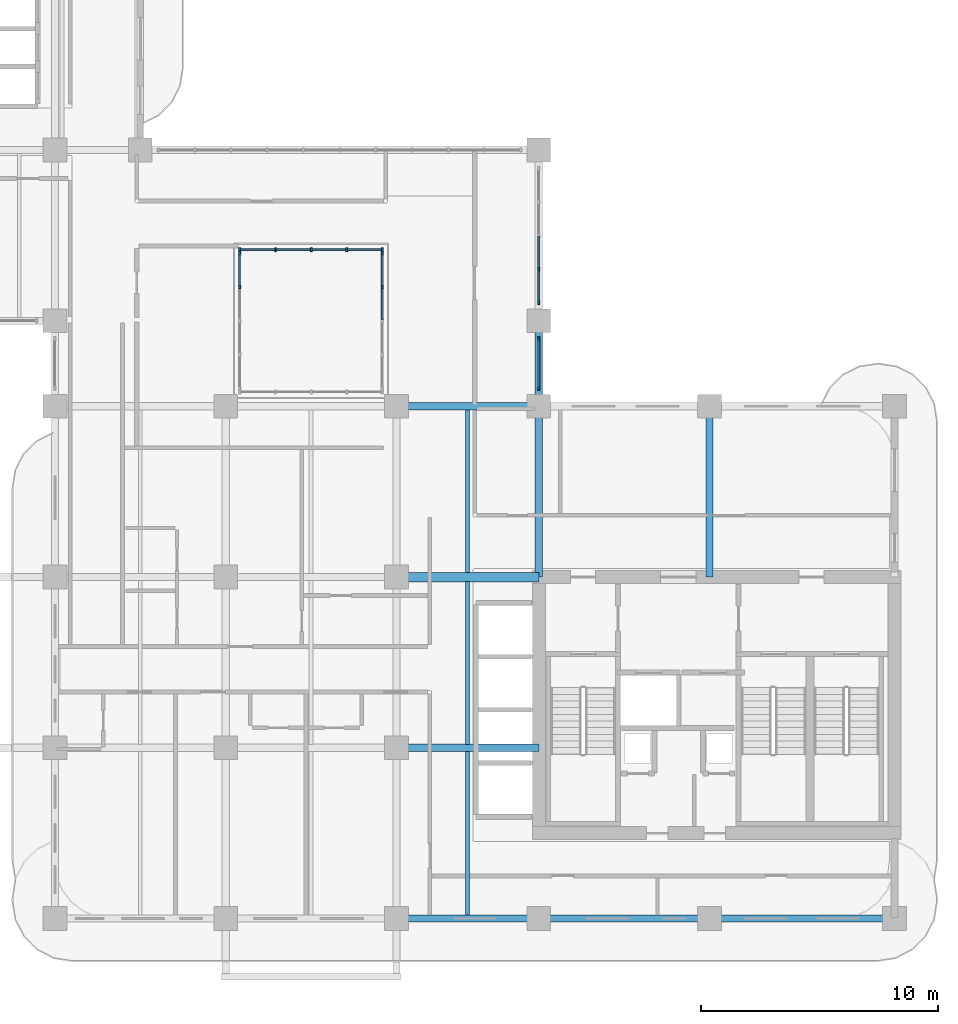
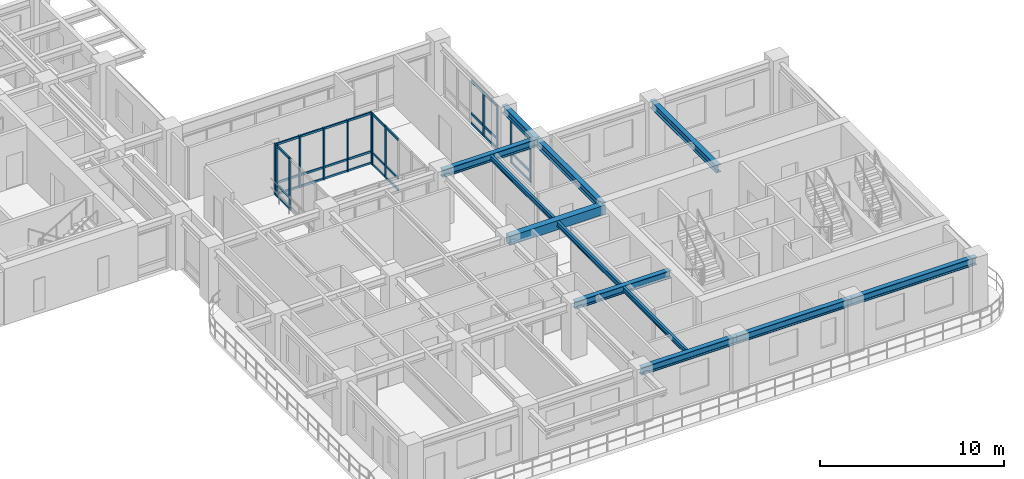
# One storey, part 3 of 19: 43 members, 12 beams, 5 elements without a shape of their own.
"""IFC4 building model written with IfcOpenShell, lengths in metres."""

import ifcopenshell
import ifcopenshell.guid

model = None  # the IFC model being written
_history = None  # IfcOwnerHistory: only IFC2X3 demands one
_inside = {}  # id of a spatial element -> (the spatial element, [elements in it])
_under = {}  # id of a project, library or spatial element -> (it, [spatial elements below it])
_declared = {}  # id of a project -> (the project, [libraries it declares])
_typed = {}  # id of a type object -> (the type object, [elements of that type])
_made_of = {}  # id of a material, layer set ... -> (it, [elements and type objects made of it])


def new_model(schema):
    """Start an empty IFC model of exactly this schema.

    Asked for "IFC4X3", IfcOpenShell would pick the latest addendum, in which some entities
    have other attributes; the version numbers below select the first issue.
    IFC2X3 requires an IfcOwnerHistory on every rooted entity: one is made here for all.
    """
    global model, _history
    if schema == "IFC4X3":
        model = ifcopenshell.file(schema_version=(4, 3, 0, 0))
    else:
        model = ifcopenshell.file(schema=schema)
    _inside.clear()
    _under.clear()
    _declared.clear()
    _typed.clear()
    _made_of.clear()
    _history = None
    if model.schema == "IFC2X3":
        org = make("IfcOrganization", Name="unknown")
        user = make(
            "IfcPersonAndOrganization",
            ThePerson=make("IfcPerson", FamilyName="unknown"),
            TheOrganization=org,
        )
        app = make(
            "IfcApplication",
            ApplicationDeveloper=org,
            Version="unknown",
            ApplicationFullName="unknown",
            ApplicationIdentifier="unknown",
        )
        _history = make(
            "IfcOwnerHistory",
            OwningUser=user,
            OwningApplication=app,
            ChangeAction="ADDED",
            CreationDate=0,
        )
    return model


def make(cls, **values):
    """One entity of the class cls with the attributes given. An attribute that is None is left unset."""
    return model.create_entity(
        cls, **{name: value for name, value in values.items() if value is not None}
    )


def rooted(cls, **values):
    """An entity with a GlobalId (a new one), such as an element, a storey or a relation."""
    return make(cls, GlobalId=ifcopenshell.guid.new(), OwnerHistory=_history, **values)


def si_unit(unit_type, name, prefix=None):
    """IfcSIUnit, for example si_unit("LENGTHUNIT", "METRE", prefix="MILLI")."""
    return make("IfcSIUnit", UnitType=unit_type, Prefix=prefix, Name=name)


def derived_unit(unit_type, elements):
    """IfcDerivedUnit: a product of units, each with its exponent."""
    return make(
        "IfcDerivedUnit",
        Elements=[
            make("IfcDerivedUnitElement", Unit=unit, Exponent=power)
            for unit, power in elements
        ],
        UnitType=unit_type,
    )


def assignment(units):
    """IfcUnitAssignment: the units of a project."""
    return None if units is None else make("IfcUnitAssignment", Units=units)


def point(xyz):
    """IfcCartesianPoint."""
    return None if xyz is None else make("IfcCartesianPoint", Coordinates=xyz)


def direction(xyz):
    """IfcDirection."""
    return None if xyz is None else make("IfcDirection", DirectionRatios=xyz)


def frame(location, z_axis=None, x_axis=None):
    """IfcAxis2Placement3D, a coordinate frame: its origin and axes. An axis left out is left unset."""
    return make(
        "IfcAxis2Placement3D",
        Location=point(location),
        Axis=direction(z_axis),
        RefDirection=direction(x_axis),
    )


def frame_2d(location, x_axis=None):
    """IfcAxis2Placement2D, a coordinate frame in the plane: its origin and x axis."""
    return make(
        "IfcAxis2Placement2D", Location=point(location), RefDirection=direction(x_axis)
    )


def origin():
    """The frame at (0, 0, 0) with its axes left unset."""
    return frame((0.0, 0.0, 0.0))


def origin_2d():
    """The frame at (0, 0) in the plane with its x axis left unset."""
    return frame_2d((0.0, 0.0))


def place(relative_to, where):
    """IfcLocalPlacement: puts the frame where relative to a parent placement (None: the world)."""
    return make(
        "IfcLocalPlacement", PlacementRelTo=relative_to, RelativePlacement=where
    )


def context(
    kind, dimensions, precision=None, world=None, true_north=None, identifier=None
):
    """IfcGeometricRepresentationContext, for example the 3D "Model" context."""
    return make(
        "IfcGeometricRepresentationContext",
        ContextIdentifier=identifier,
        ContextType=kind,
        CoordinateSpaceDimension=dimensions,
        Precision=precision,
        WorldCoordinateSystem=world,
        TrueNorth=true_north,
    )


def subcontext(parent, identifier, kind, view, scale=None):
    """IfcGeometricRepresentationSubContext, for example "Body" below "Model"."""
    return make(
        "IfcGeometricRepresentationSubContext",
        ContextIdentifier=identifier,
        ContextType=kind,
        ParentContext=parent,
        TargetScale=scale,
        TargetView=view,
    )


def project(units=None, contexts=None):
    """IfcProject with its units and contexts."""
    return rooted(
        "IfcProject",
        Name="project",
        RepresentationContexts=contexts,
        UnitsInContext=assignment(units),
    )


def spatial(cls, under=None, at=None, **own):
    """A site, building, storey or space (cls), placed at a placement, below another one or the project."""
    s = rooted(cls, ObjectPlacement=at, **own)
    if under is not None:
        _under.setdefault(under.id(), (under, []))[1].append(s)
    return s


def profile(cls, at=None, kind="AREA", **sizes):
    """A parametric profile (cls). Its sizes go by their IFC names, for example OverallWidth=200.0."""
    return make(cls, ProfileType=kind, Position=at, **sizes)


def rectangle(**sizes):
    """IfcRectangleProfileDef."""
    return profile("IfcRectangleProfileDef", **sizes)


def i_section(**sizes):
    """IfcIShapeProfileDef."""
    return profile("IfcIShapeProfileDef", **sizes)


def extrude(swept, where, along, depth):
    """IfcExtrudedAreaSolid: the profile swept, set in the frame where, extruded along a direction by depth."""
    return make(
        "IfcExtrudedAreaSolid",
        SweptArea=swept,
        Position=where,
        ExtrudedDirection=direction(along),
        Depth=depth,
    )


def shape(context_of_items, identifier, shape_type, items):
    """IfcShapeRepresentation: the items that make up one representation, for example the "Body"."""
    return make(
        "IfcShapeRepresentation",
        ContextOfItems=context_of_items,
        RepresentationIdentifier=identifier,
        RepresentationType=shape_type,
        Items=items,
    )


def source(mapping_origin, context_of_items, identifier, shape_type, items):
    """IfcRepresentationMap: a shape defined once, which mapped items show again and again."""
    return make(
        "IfcRepresentationMap",
        MappingOrigin=mapping_origin,
        MappedRepresentation=shape(context_of_items, identifier, shape_type, items),
    )


def transform(
    local_origin,
    x_axis=None,
    y_axis=None,
    z_axis=None,
    scale=None,
    scale2=None,
    scale3=None,
    uniform=True,
):
    """IfcCartesianTransformationOperator3D, or its non-uniform kind. x_axis, y_axis, z_axis: its Axis1, 2, 3."""
    if uniform:
        return make(
            "IfcCartesianTransformationOperator3D",
            Axis1=direction(x_axis),
            Axis2=direction(y_axis),
            LocalOrigin=point(local_origin),
            Scale=scale,
            Axis3=direction(z_axis),
        )
    return make(
        "IfcCartesianTransformationOperator3DnonUniform",
        Axis1=direction(x_axis),
        Axis2=direction(y_axis),
        LocalOrigin=point(local_origin),
        Scale=scale,
        Axis3=direction(z_axis),
        Scale2=scale2,
        Scale3=scale3,
    )


def mapped(mapping_source, mapping_target):
    """IfcMappedItem: shows the shape of a source again, moved by a transform."""
    return make(
        "IfcMappedItem", MappingSource=mapping_source, MappingTarget=mapping_target
    )


def material(Name=None, Category=None):
    """IfcMaterial."""
    return make("IfcMaterial", Name=Name, Category=Category)


def layer(
    of_material, thickness, ventilated=None, Name=None, Category=None, Priority=None
):
    """IfcMaterialLayer: one layer of a wall or slab, of a material (None: an air gap)."""
    return make(
        "IfcMaterialLayer",
        Material=of_material,
        LayerThickness=thickness,
        IsVentilated=ventilated,
        Name=Name,
        Category=Category,
        Priority=Priority,
    )


def layer_set(layers, Name=None):
    """IfcMaterialLayerSet."""
    return make("IfcMaterialLayerSet", MaterialLayers=layers, LayerSetName=Name)


def material_profile(
    of_material, cross_section, Name=None, Category=None, Priority=None
):
    """IfcMaterialProfile: a cross section and its material."""
    return make(
        "IfcMaterialProfile",
        Name=Name,
        Material=of_material,
        Profile=cross_section,
        Priority=Priority,
        Category=Category,
    )


def profile_set(profiles, Name=None, composite=None):
    """IfcMaterialProfileSet."""
    return make(
        "IfcMaterialProfileSet",
        Name=Name,
        MaterialProfiles=profiles,
        CompositeProfile=composite,
    )


def made_of(thing, what):
    """Note that an element or type object is made of a material, layer set ...; save() writes the relation."""
    if what is not None:
        _made_of.setdefault(what.id(), (what, []))[1].append(thing)
    return thing


def type_object(cls, material=None, **own):
    """A type object (cls), such as IfcWallType, which elements share."""
    return made_of(rooted(cls, **own), material)


def type_shapes(of_type, sources):
    """Give a type object the sources (RepresentationMaps) that its elements show as mapped items."""
    of_type.RepresentationMaps = sources


def element(
    cls,
    number,
    at=None,
    inside=None,
    cuts=None,
    type_object=None,
    material=None,
    context=None,
    identifier="Body",
    shape_type=None,
    held_by="IfcProductDefinitionShape",
    body=None,
    shapes=None,
    **own,
):
    """One element of the class cls, such as IfcWall. Its Tag is "e" and its number.

    at: its placement. inside: the storey or other place that contains it. cuts: it is an
    opening in that element (IfcRelVoidsElement). A single representation is given by context,
    identifier, shape_type and body (its items); several are given by shapes. held_by: the class
    of the entity that holds the representations. save() writes the other relations.
    """
    e = rooted(cls, Tag="e%d" % number, ObjectPlacement=at, **own)
    if body is not None:
        shapes = [shape(context, identifier, shape_type, body)]
    if shapes is not None:
        e.Representation = make(held_by, Representations=shapes)
    if inside is not None:
        _inside.setdefault(inside.id(), (inside, []))[1].append(e)
    if cuts is not None:
        rooted(
            "IfcRelVoidsElement", RelatingBuildingElement=cuts, RelatedOpeningElement=e
        )
    if type_object is not None:
        _typed.setdefault(type_object.id(), (type_object, []))[1].append(e)
    return made_of(e, material)


def aggregate(whole, parts):
    """IfcRelAggregates: a whole, such as a stair, and the parts it consists of."""
    return rooted("IfcRelAggregates", RelatingObject=whole, RelatedObjects=parts)


def save(model, path):
    """Write the relations noted so far, then the file.

    IfcRelAggregates (storeys below a building ...), IfcRelContainedInSpatialStructure (elements
    in a storey), IfcRelDefinesByType, IfcRelAssociatesMaterial and IfcRelDeclares: one each for
    every whole, place, type object, material and project.
    """
    for whole, parts in _under.values():
        aggregate(whole, parts)
    for where, things in _inside.values():
        rooted(
            "IfcRelContainedInSpatialStructure",
            RelatedElements=things,
            RelatingStructure=where,
        )
    for kind, things in _typed.values():
        rooted("IfcRelDefinesByType", RelatedObjects=things, RelatingType=kind)
    for what, things in _made_of.values():
        rooted("IfcRelAssociatesMaterial", RelatedObjects=things, RelatingMaterial=what)
    for by, libraries in _declared.values():
        rooted("IfcRelDeclares", RelatingContext=by, RelatedDefinitions=libraries)
    model.write(path)


model = new_model("IFC4")

# Units and contexts
model_context = context("Model", 3, precision=1e-05, world=origin(), true_north=direction((0.0, 1.0)))
body_context = subcontext(model_context, "Body", "Model", "MODEL_VIEW")
ifc_project = project(units=[si_unit("LENGTHUNIT", "METRE"), si_unit("AREAUNIT", "SQUARE_METRE"), si_unit("VOLUMEUNIT", "CUBIC_METRE"), si_unit("PLANEANGLEUNIT", "RADIAN"), si_unit("MASSUNIT", "GRAM", prefix="KILO"), si_unit("THERMODYNAMICTEMPERATUREUNIT", "KELVIN"), si_unit("POWERUNIT", "WATT"), derived_unit("THERMALTRANSMITTANCEUNIT", [(si_unit("POWERUNIT", "WATT"), 1), (si_unit("AREAUNIT", "SQUARE_METRE"), -1), (si_unit("THERMODYNAMICTEMPERATUREUNIT", "KELVIN"), -1)])], contexts=[model_context])

# Site, building, storey
site_placement = place(None, origin())
site = spatial("IfcSite", under=ifc_project, at=site_placement, CompositionType="ELEMENT")
building_placement = place(site_placement, origin())
building = spatial("IfcBuilding", under=site, at=building_placement, Name="Zahravan Archway Hotel and Residences", CompositionType="ELEMENT")
storey_placement = place(building_placement, frame((0.0, 0.0, 134.0)))
storey = spatial("IfcBuildingStorey", under=building, at=storey_placement, Name="L33", CompositionType="ELEMENT", Elevation=134.0)

# Beams
ifc_material_1 = material(Name="Concrete C60/75", Category="concrete")
ifc_material_profile_1 = material_profile(ifc_material_1, rectangle(XDim=0.39990234375, YDim=0.60009765625, at=origin_2d()), Name="RC-LNT-400x600", Category="concrete")
ifc_profile_set_1 = profile_set([ifc_material_profile_1], Name="Concrete C60/75")
beam_type_1 = type_object("IfcBeamType", Name="LNT-RC-400x600", PredefinedType="LINTEL", material=ifc_profile_set_1)
shared_shape_1 = source(origin(), body_context, "Body", "SweptSolid", [
    extrude(rectangle(XDim=0.39990234375, YDim=0.60009765625, at=origin_2d()), origin(), (0.0, 0.0, 1.0), 6.0),
])
type_shapes(beam_type_1, [shared_shape_1])
beam_1_placement = place(storey_placement, frame((28.800048828125, 14.39990234375, 3.14990234375), z_axis=(1.0, 0.0, 0.0), x_axis=(0.0, 1.0, 0.0)))
element("IfcBeam", 1, at=beam_1_placement, inside=storey, type_object=beam_type_1, Name="L33 Core A Coupling Lintel Beam", PredefinedType="LINTEL", context=body_context, shape_type="MappedRepresentation", body=[
    mapped(shared_shape_1, transform((0.0, 0.0, 0.0), scale=1.0)),
])
ifc_material_2 = material(Name="Structural Steel S355JR", Category="steel")
ifc_material_profile_2 = material_profile(ifc_material_2, i_section(OverallWidth=0.300048828125, OverallDepth=0.5, WebThickness=0.014404296875, FlangeThickness=0.028076171875, FilletRadius=0.027099609375, at=origin_2d()), Name="HEB 500", Category="steel")
ifc_profile_set_2 = profile_set([ifc_material_profile_2], Name="Structural Steel S355JR")
beam_type_2 = type_object("IfcBeamType", Name="BM-PRI-HEB500", PredefinedType="BEAM", material=ifc_profile_set_2)
shared_shape_2 = source(origin(), body_context, "Body", "SweptSolid", [
    extrude(i_section(OverallWidth=0.300048828125, OverallDepth=0.5, WebThickness=0.014404296875, FlangeThickness=0.028076171875, FilletRadius=0.027099609375, at=origin_2d()), origin(), (0.0, 0.0, 1.0), 7.2001953125),
])
type_shapes(beam_type_2, [shared_shape_2])
for number, where, z_axis, x_axis, name in (
    (2, (34.800048828125, 14.39990234375, 3.199951171875), (0.0, 1.0, 0.0), (-1.0, 0.0, 0.0), "L33 Primary Girder NS-41"),
    (3, (42.0, 14.39990234375, 3.199951171875), (0.0, 1.0, 0.0), (-1.0, 0.0, 0.0), "L33 Primary Girder NS-44"),
):
    element("IfcBeam", number, at=place(storey_placement, frame(where, z_axis=z_axis, x_axis=x_axis)), inside=storey, type_object=beam_type_2, Name=name, PredefinedType="BEAM", context=body_context, shape_type="MappedRepresentation", body=[
        mapped(shared_shape_2, transform((0.0, 0.0, 0.0), scale=1.0)),
    ])
shared_shape_3 = source(origin(), body_context, "Body", "SweptSolid", [
    extrude(i_section(OverallWidth=0.300048828125, OverallDepth=0.5, WebThickness=0.014404296875, FlangeThickness=0.028076171875, FilletRadius=0.027099609375, at=origin_2d()), origin(), (0.0, 0.0, 1.0), 7.199951171875),
])
beam_2_placement = place(storey_placement, frame((34.800048828125, 0.0, 3.199951171875), z_axis=(1.0, 0.0, 0.0), x_axis=(0.0, 1.0, 0.0)))
element("IfcBeam", 4, at=beam_2_placement, inside=storey, type_object=beam_type_2, Name="L33 Primary Girder EW-04", PredefinedType="BEAM", context=body_context, shape_type="MappedRepresentation", body=[
    mapped(shared_shape_3, transform((0.0, 0.0, 0.0), scale=1.0)),
])
shared_shape_4 = source(origin(), body_context, "Body", "SweptSolid", [
    extrude(i_section(OverallWidth=0.300048828125, OverallDepth=0.5, WebThickness=0.014404296875, FlangeThickness=0.028076171875, FilletRadius=0.027099609375, at=origin_2d()), origin(), (0.0, 0.0, 1.0), 6.0),
])
for number, where, z_axis, x_axis, name in (
    (5, (28.800048828125, 0.0, 3.199951171875), (1.0, 0.0, 0.0), (0.0, 1.0, 0.0), "L33 Primary Girder EW-03"),
    (6, (28.800048828125, 7.199951171875, 3.199951171875), (1.0, 0.0, 0.0), (0.0, 1.0, 0.0), "L33 Primary Girder EW-08"),
    (7, (28.800048828125, 21.60009765625, 3.199951171875), (1.0, 0.0, 0.0), (0.0, 1.0, 0.0), "L33 Primary Girder EW-13"),
):
    element("IfcBeam", number, at=place(storey_placement, frame(where, z_axis=z_axis, x_axis=x_axis)), inside=storey, type_object=beam_type_2, Name=name, PredefinedType="BEAM", context=body_context, shape_type="MappedRepresentation", body=[
        mapped(shared_shape_4, transform((0.0, 0.0, 0.0), scale=1.0)),
    ])
shared_shape_5 = source(origin(), body_context, "Body", "SweptSolid", [
    extrude(i_section(OverallWidth=0.300048828125, OverallDepth=0.5, WebThickness=0.014404296875, FlangeThickness=0.028076171875, FilletRadius=0.027099609375, at=origin_2d()), origin(), (0.0, 0.0, 1.0), 7.800048828125),
])
beam_3_placement = place(storey_placement, frame((42.0, 0.0, 3.199951171875), z_axis=(1.0, 0.0, 0.0), x_axis=(0.0, 1.0, 0.0)))
element("IfcBeam", 8, at=beam_3_placement, inside=storey, type_object=beam_type_2, Name="L33 Primary Girder EW-05", PredefinedType="BEAM", context=body_context, shape_type="MappedRepresentation", body=[
    mapped(shared_shape_5, transform((0.0, 0.0, 0.0), scale=1.0)),
])
shared_shape_6 = source(origin(), body_context, "Body", "SweptSolid", [
    extrude(i_section(OverallWidth=0.300048828125, OverallDepth=0.5, WebThickness=0.014404296875, FlangeThickness=0.028076171875, FilletRadius=0.027099609375, at=origin_2d()), origin(), (0.0, 0.0, 1.0), 3.599853515625),
])
beam_4_placement = place(storey_placement, frame((34.800048828125, 21.60009765625, 3.199951171875), z_axis=(0.0, 1.0, 0.0), x_axis=(-1.0, 0.0, 0.0)))
element("IfcBeam", 9, at=beam_4_placement, inside=storey, type_object=beam_type_2, Name="L33 Primary Girder NS-42", PredefinedType="BEAM", context=body_context, shape_type="MappedRepresentation", body=[
    mapped(shared_shape_6, transform((0.0, 0.0, 0.0), scale=1.0)),
])
ifc_material_profile_3 = material_profile(ifc_material_2, i_section(OverallWidth=0.159912109375, OverallDepth=0.330078125, WebThickness=0.007568359375, FlangeThickness=0.011474609375, FilletRadius=0.01806640625, at=origin_2d()), Name="IPE 330", Category="steel")
ifc_profile_set_3 = profile_set([ifc_material_profile_3], Name="Structural Steel S355JR")
beam_type_3 = type_object("IfcBeamType", Name="BM-JST-IPE330", PredefinedType="JOIST", material=ifc_profile_set_3)
shared_shape_7 = source(origin(), body_context, "Body", "SweptSolid", [
    extrude(i_section(OverallWidth=0.159912109375, OverallDepth=0.330078125, WebThickness=0.007568359375, FlangeThickness=0.011474609375, FilletRadius=0.01806640625, at=origin_2d()), origin(), (0.0, 0.0, 1.0), 6.904052734375),
])
type_shapes(beam_type_3, [shared_shape_7])
beam_5_placement = place(storey_placement, frame((31.800048828125, 0.14794921875, 3.284912109375), z_axis=(0.0, 1.0, 0.0), x_axis=(-1.0, 0.0, 0.0)))
element("IfcBeam", 10, at=beam_5_placement, inside=storey, type_object=beam_type_3, Name="L33 Composite Floor Joist 03", PredefinedType="JOIST", context=body_context, shape_type="MappedRepresentation", body=[
    mapped(shared_shape_7, transform((0.0, 0.0, 0.0), scale=1.0)),
])
shared_shape_8 = source(origin(), body_context, "Body", "SweptSolid", [
    extrude(i_section(OverallWidth=0.159912109375, OverallDepth=0.330078125, WebThickness=0.007568359375, FlangeThickness=0.011474609375, FilletRadius=0.01806640625, at=origin_2d()), origin(), (0.0, 0.0, 1.0), 6.85400390625),
])
for number, where, z_axis, x_axis, name in (
    (11, (31.800048828125, 7.347900390625, 3.284912109375), (0.0, 1.0, 0.0), (-1.0, 0.0, 0.0), "L33 Composite Floor Joist 06"),
    (12, (31.800048828125, 14.597900390625, 3.284912109375), (0.0, 1.0, 0.0), (-1.0, 0.0, 0.0), "L33 Composite Floor Joist 07"),
):
    element("IfcBeam", number, at=place(storey_placement, frame(where, z_axis=z_axis, x_axis=x_axis)), inside=storey, type_object=beam_type_3, Name=name, PredefinedType="JOIST", context=body_context, shape_type="MappedRepresentation", body=[
        mapped(shared_shape_8, transform((0.0, 0.0, 0.0), scale=1.0)),
    ])

# Curtain wall, members
ifc_material_3 = material(Name="Bronze-Anodized Unitised Aluminium & Low-E Glass", Category="aluminium")
ifc_layer = layer(ifc_material_3, 0.179931640625, Name="Bronze-Anodized Unitised Aluminium & Low-E Glass", Category="aluminium")
ifc_layer_set = layer_set([ifc_layer], Name="Bronze-Anodized Unitised Aluminium & Low-E Glass")
curtain_wall_type = type_object("IfcCurtainWallType", Name="CW-ATR-GLAZ", PredefinedType="NOTDEFINED", material=ifc_layer_set)
curtain_wall_1_placement = place(storey_placement, origin())
curtain_wall_1 = element("IfcCurtainWall", 13, at=curtain_wall_1_placement, inside=storey, type_object=curtain_wall_type, Name="L33 Curtain Wall CW-L33-HNG-E-2", PredefinedType="NOTDEFINED")
ifc_material_4 = material(Name="Bronze-Anodized Extruded Aluminium", Category="aluminium")
ifc_material_profile_4 = material_profile(ifc_material_4, rectangle(XDim=0.080078125, YDim=0.139892578125, at=origin_2d()), Name="TRN 80x140", Category="aluminium")
ifc_profile_set_4 = profile_set([ifc_material_profile_4], Name="Bronze-Anodized Extruded Aluminium")
member_type_1 = type_object("IfcMemberType", Name="CWM-TRN-140", PredefinedType="USERDEFINED", material=ifc_profile_set_4)
shared_shape_9 = source(origin(), body_context, "Body", "SweptSolid", [
    extrude(rectangle(XDim=0.080078125, YDim=0.139892578125, at=origin_2d()), origin(), (0.0, 0.0, 1.0), 1.340087890625),
])
member_1_placement = place(storey_placement, frame((34.800048828125, 26.0, 0.070068359375), z_axis=(0.0, 1.0, 0.0), x_axis=(-1.0, 0.0, 0.0)))
member_1 = element("IfcMember", 14, at=member_1_placement, type_object=member_type_1, Name="CW-L33-HNG-E-2 Transom 0-1", ObjectType="TRANSOM", PredefinedType="USERDEFINED", context=body_context, shape_type="MappedRepresentation", body=[
    mapped(shared_shape_9, transform((0.0, 0.0, 0.0), scale=1.0)),
])
member_2_placement = place(storey_placement, frame((34.800048828125, 26.0, 0.704345703125), z_axis=(0.0, 1.0, 0.0), x_axis=(-1.0, 0.0, 0.0)))
member_2 = element("IfcMember", 15, at=member_2_placement, type_object=member_type_1, Name="CW-L33-HNG-E-2 Transom 0-2", ObjectType="TRANSOM", PredefinedType="USERDEFINED", context=body_context, shape_type="MappedRepresentation", body=[
    mapped(shared_shape_9, transform((0.0, 0.0, 0.0), scale=1.0)),
])
member_3_placement = place(storey_placement, frame((34.800048828125, 26.0, 2.864990234375), z_axis=(0.0, 1.0, 0.0), x_axis=(-1.0, 0.0, 0.0)))
member_3 = element("IfcMember", 16, at=member_3_placement, type_object=member_type_1, Name="CW-L33-HNG-E-2 Transom 0-3", ObjectType="TRANSOM", PredefinedType="USERDEFINED", context=body_context, shape_type="MappedRepresentation", body=[
    mapped(shared_shape_9, transform((0.0, 0.0, 0.0), scale=1.0)),
])
member_4_placement = place(storey_placement, frame((34.800048828125, 27.419921875, 0.070068359375), z_axis=(0.0, 1.0, 0.0), x_axis=(-1.0, 0.0, 0.0)))
member_4 = element("IfcMember", 17, at=member_4_placement, type_object=member_type_1, Name="CW-L33-HNG-E-2 Transom 1-1", ObjectType="TRANSOM", PredefinedType="USERDEFINED", context=body_context, shape_type="MappedRepresentation", body=[
    mapped(shared_shape_9, transform((0.0, 0.0, 0.0), scale=1.0)),
])
member_5_placement = place(storey_placement, frame((34.800048828125, 27.419921875, 0.704345703125), z_axis=(0.0, 1.0, 0.0), x_axis=(-1.0, 0.0, 0.0)))
member_5 = element("IfcMember", 18, at=member_5_placement, type_object=member_type_1, Name="CW-L33-HNG-E-2 Transom 1-2", ObjectType="TRANSOM", PredefinedType="USERDEFINED", context=body_context, shape_type="MappedRepresentation", body=[
    mapped(shared_shape_9, transform((0.0, 0.0, 0.0), scale=1.0)),
])
member_6_placement = place(storey_placement, frame((34.800048828125, 27.419921875, 2.864990234375), z_axis=(0.0, 1.0, 0.0), x_axis=(-1.0, 0.0, 0.0)))
member_6 = element("IfcMember", 19, at=member_6_placement, type_object=member_type_1, Name="CW-L33-HNG-E-2 Transom 1-3", ObjectType="TRANSOM", PredefinedType="USERDEFINED", context=body_context, shape_type="MappedRepresentation", body=[
    mapped(shared_shape_9, transform((0.0, 0.0, 0.0), scale=1.0)),
])

curtain_wall_2_placement = place(storey_placement, origin())
curtain_wall_2 = element("IfcCurtainWall", 20, at=curtain_wall_2_placement, inside=storey, type_object=curtain_wall_type, Name="L33 Curtain Wall CW-L33-HNG-E-1", PredefinedType="NOTDEFINED")
shared_shape_10 = source(origin(), body_context, "Body", "SweptSolid", [
    extrude(rectangle(XDim=0.080078125, YDim=0.139892578125, at=origin_2d()), origin(), (0.0, 0.0, 1.0), 2.0),
])
member_7_placement = place(storey_placement, frame((34.800048828125, 22.39990234375, 0.070068359375), z_axis=(0.0, 1.0, 0.0), x_axis=(-1.0, 0.0, 0.0)))
member_7 = element("IfcMember", 21, at=member_7_placement, type_object=member_type_1, Name="CW-L33-HNG-E-1 Transom 0-1", ObjectType="TRANSOM", PredefinedType="USERDEFINED", context=body_context, shape_type="MappedRepresentation", body=[
    mapped(shared_shape_10, transform((0.0, 0.0, 0.0), scale=1.0)),
])
member_8_placement = place(storey_placement, frame((34.800048828125, 22.39990234375, 0.704345703125), z_axis=(0.0, 1.0, 0.0), x_axis=(-1.0, 0.0, 0.0)))
member_8 = element("IfcMember", 22, at=member_8_placement, type_object=member_type_1, Name="CW-L33-HNG-E-1 Transom 0-2", ObjectType="TRANSOM", PredefinedType="USERDEFINED", context=body_context, shape_type="MappedRepresentation", body=[
    mapped(shared_shape_10, transform((0.0, 0.0, 0.0), scale=1.0)),
])
member_9_placement = place(storey_placement, frame((34.800048828125, 22.39990234375, 2.864990234375), z_axis=(0.0, 1.0, 0.0), x_axis=(-1.0, 0.0, 0.0)))
member_9 = element("IfcMember", 23, at=member_9_placement, type_object=member_type_1, Name="CW-L33-HNG-E-1 Transom 0-3", ObjectType="TRANSOM", PredefinedType="USERDEFINED", context=body_context, shape_type="MappedRepresentation", body=[
    mapped(shared_shape_10, transform((0.0, 0.0, 0.0), scale=1.0)),
])

curtain_wall_3_placement = place(storey_placement, origin())
curtain_wall_3 = element("IfcCurtainWall", 24, at=curtain_wall_3_placement, inside=storey, type_object=curtain_wall_type, Name="L33 Curtain Wall CW-ATR-L33-N-1", PredefinedType="NOTDEFINED")
ifc_material_profile_5 = material_profile(ifc_material_4, rectangle(XDim=0.080078125, YDim=0.159912109375, at=origin_2d()), Name="MUL 80x160", Category="aluminium")
ifc_profile_set_5 = profile_set([ifc_material_profile_5], Name="Bronze-Anodized Extruded Aluminium")
member_type_2 = type_object("IfcMemberType", Name="CWM-MUL-160", PredefinedType="MULLION", material=ifc_profile_set_5)
shared_shape_11 = source(origin(), body_context, "Body", "SweptSolid", [
    extrude(rectangle(XDim=0.080078125, YDim=0.159912109375, at=origin_2d()), origin(), (0.0, 0.0, 1.0), 3.449951171875),
])
member_10_placement = place(storey_placement, frame((22.199951171875, 28.199951171875, 0.0), z_axis=(0.0, 0.0, 1.0), x_axis=(1.0, 0.0, 0.0)))
member_10 = element("IfcMember", 25, at=member_10_placement, type_object=member_type_2, Name="CW-ATR-L33-N-1 Mullion 0", PredefinedType="MULLION", context=body_context, shape_type="MappedRepresentation", body=[
    mapped(shared_shape_11, transform((0.0, 0.0, 0.0), scale=1.0)),
])
member_11_placement = place(storey_placement, frame((23.699951171875, 28.199951171875, 0.0), z_axis=(0.0, 0.0, 1.0), x_axis=(1.0, 0.0, 0.0)))
member_11 = element("IfcMember", 26, at=member_11_placement, type_object=member_type_2, Name="CW-ATR-L33-N-1 Mullion 1", PredefinedType="MULLION", context=body_context, shape_type="MappedRepresentation", body=[
    mapped(shared_shape_11, transform((0.0, 0.0, 0.0), scale=1.0)),
])
member_12_placement = place(storey_placement, frame((25.199951171875, 28.199951171875, 0.0), z_axis=(0.0, 0.0, 1.0), x_axis=(1.0, 0.0, 0.0)))
member_12 = element("IfcMember", 27, at=member_12_placement, type_object=member_type_2, Name="CW-ATR-L33-N-1 Mullion 2", PredefinedType="MULLION", context=body_context, shape_type="MappedRepresentation", body=[
    mapped(shared_shape_11, transform((0.0, 0.0, 0.0), scale=1.0)),
])
member_13_placement = place(storey_placement, frame((26.699951171875, 28.199951171875, 0.0), z_axis=(0.0, 0.0, 1.0), x_axis=(1.0, 0.0, 0.0)))
member_13 = element("IfcMember", 28, at=member_13_placement, type_object=member_type_2, Name="CW-ATR-L33-N-1 Mullion 3", PredefinedType="MULLION", context=body_context, shape_type="MappedRepresentation", body=[
    mapped(shared_shape_11, transform((0.0, 0.0, 0.0), scale=1.0)),
])
member_14_placement = place(storey_placement, frame((28.199951171875, 28.199951171875, 0.0), z_axis=(0.0, 0.0, 1.0), x_axis=(1.0, 0.0, 0.0)))
member_14 = element("IfcMember", 29, at=member_14_placement, type_object=member_type_2, Name="CW-ATR-L33-N-1 Mullion 4", PredefinedType="MULLION", context=body_context, shape_type="MappedRepresentation", body=[
    mapped(shared_shape_11, transform((0.0, 0.0, 0.0), scale=1.0)),
])

curtain_wall_4_placement = place(storey_placement, origin())
curtain_wall_4 = element("IfcCurtainWall", 30, at=curtain_wall_4_placement, inside=storey, type_object=curtain_wall_type, Name="L33 Curtain Wall CW-ATR-L33-W-1", PredefinedType="NOTDEFINED")
member_15_placement = place(storey_placement, frame((22.199951171875, 26.625, 0.0), z_axis=(0.0, 0.0, 1.0), x_axis=(1.0, 0.0, 0.0)))
member_15 = element("IfcMember", 31, at=member_15_placement, type_object=member_type_2, Name="CW-ATR-L33-W-1 Mullion 3", PredefinedType="MULLION", context=body_context, shape_type="MappedRepresentation", body=[
    mapped(shared_shape_11, transform((0.0, 0.0, 0.0), scale=1.0)),
])
member_16_placement = place(storey_placement, frame((22.199951171875, 28.050048828125, 0.0), z_axis=(0.0, 0.0, 1.0), x_axis=(1.0, 0.0, 0.0)))
member_16 = element("IfcMember", 32, at=member_16_placement, type_object=member_type_2, Name="CW-ATR-L33-W-1 Mullion 4", PredefinedType="MULLION", context=body_context, shape_type="MappedRepresentation", body=[
    mapped(shared_shape_11, transform((0.0, 0.0, 0.0), scale=1.0)),
])

curtain_wall_5_placement = place(storey_placement, origin())
curtain_wall_5 = element("IfcCurtainWall", 33, at=curtain_wall_5_placement, inside=storey, type_object=curtain_wall_type, Name="L33 Curtain Wall CW-ATR-L33-E-1", PredefinedType="NOTDEFINED")
member_17_placement = place(storey_placement, frame((28.199951171875, 26.625, 0.0), z_axis=(0.0, 0.0, 1.0), x_axis=(1.0, 0.0, 0.0)))
member_17 = element("IfcMember", 34, at=member_17_placement, type_object=member_type_2, Name="CW-ATR-L33-E-1 Mullion 3", PredefinedType="MULLION", context=body_context, shape_type="MappedRepresentation", body=[
    mapped(shared_shape_11, transform((0.0, 0.0, 0.0), scale=1.0)),
])
member_18_placement = place(storey_placement, frame((28.199951171875, 28.050048828125, 0.0), z_axis=(0.0, 0.0, 1.0), x_axis=(1.0, 0.0, 0.0)))
member_18 = element("IfcMember", 35, at=member_18_placement, type_object=member_type_2, Name="CW-ATR-L33-E-1 Mullion 4", PredefinedType="MULLION", context=body_context, shape_type="MappedRepresentation", body=[
    mapped(shared_shape_11, transform((0.0, 0.0, 0.0), scale=1.0)),
])

# Member
shared_shape_12 = source(origin(), body_context, "Body", "SweptSolid", [
    extrude(rectangle(XDim=0.080078125, YDim=0.139892578125, at=origin_2d()), origin(), (0.0, 0.0, 1.0), 1.419921875),
])
member_19_placement = place(storey_placement, frame((22.239990234375, 28.199951171875, 0.070068359375), z_axis=(1.0, 0.0, 0.0), x_axis=(0.0, 1.0, 0.0)))
member_19 = element("IfcMember", 36, at=member_19_placement, type_object=member_type_1, Name="CW-ATR-L33-N-1 Transom 0-1", ObjectType="TRANSOM", PredefinedType="USERDEFINED", context=body_context, shape_type="MappedRepresentation", body=[
    mapped(shared_shape_12, transform((0.0, 0.0, 0.0), scale=1.0)),
])

member_20_placement = place(storey_placement, frame((22.239990234375, 28.199951171875, 0.827880859375), z_axis=(1.0, 0.0, 0.0), x_axis=(0.0, 1.0, 0.0)))
member_20 = element("IfcMember", 37, at=member_20_placement, type_object=member_type_1, Name="CW-ATR-L33-N-1 Transom 0-2", ObjectType="TRANSOM", PredefinedType="USERDEFINED", context=body_context, shape_type="MappedRepresentation", body=[
    mapped(shared_shape_12, transform((0.0, 0.0, 0.0), scale=1.0)),
])

member_21_placement = place(storey_placement, frame((22.239990234375, 28.199951171875, 3.3798828125), z_axis=(1.0, 0.0, 0.0), x_axis=(0.0, 1.0, 0.0)))
member_21 = element("IfcMember", 38, at=member_21_placement, type_object=member_type_1, Name="CW-ATR-L33-N-1 Transom 0-3", ObjectType="TRANSOM", PredefinedType="USERDEFINED", context=body_context, shape_type="MappedRepresentation", body=[
    mapped(shared_shape_12, transform((0.0, 0.0, 0.0), scale=1.0)),
])

member_22_placement = place(storey_placement, frame((23.739990234375, 28.199951171875, 0.070068359375), z_axis=(1.0, 0.0, 0.0), x_axis=(0.0, 1.0, 0.0)))
member_22 = element("IfcMember", 39, at=member_22_placement, type_object=member_type_1, Name="CW-ATR-L33-N-1 Transom 1-1", ObjectType="TRANSOM", PredefinedType="USERDEFINED", context=body_context, shape_type="MappedRepresentation", body=[
    mapped(shared_shape_12, transform((0.0, 0.0, 0.0), scale=1.0)),
])

member_23_placement = place(storey_placement, frame((23.739990234375, 28.199951171875, 0.827880859375), z_axis=(1.0, 0.0, 0.0), x_axis=(0.0, 1.0, 0.0)))
member_23 = element("IfcMember", 40, at=member_23_placement, type_object=member_type_1, Name="CW-ATR-L33-N-1 Transom 1-2", ObjectType="TRANSOM", PredefinedType="USERDEFINED", context=body_context, shape_type="MappedRepresentation", body=[
    mapped(shared_shape_12, transform((0.0, 0.0, 0.0), scale=1.0)),
])

member_24_placement = place(storey_placement, frame((23.739990234375, 28.199951171875, 3.3798828125), z_axis=(1.0, 0.0, 0.0), x_axis=(0.0, 1.0, 0.0)))
member_24 = element("IfcMember", 41, at=member_24_placement, type_object=member_type_1, Name="CW-ATR-L33-N-1 Transom 1-3", ObjectType="TRANSOM", PredefinedType="USERDEFINED", context=body_context, shape_type="MappedRepresentation", body=[
    mapped(shared_shape_12, transform((0.0, 0.0, 0.0), scale=1.0)),
])

member_25_placement = place(storey_placement, frame((25.239990234375, 28.199951171875, 0.070068359375), z_axis=(1.0, 0.0, 0.0), x_axis=(0.0, 1.0, 0.0)))
member_25 = element("IfcMember", 42, at=member_25_placement, type_object=member_type_1, Name="CW-ATR-L33-N-1 Transom 2-1", ObjectType="TRANSOM", PredefinedType="USERDEFINED", context=body_context, shape_type="MappedRepresentation", body=[
    mapped(shared_shape_12, transform((0.0, 0.0, 0.0), scale=1.0)),
])

member_26_placement = place(storey_placement, frame((25.239990234375, 28.199951171875, 0.827880859375), z_axis=(1.0, 0.0, 0.0), x_axis=(0.0, 1.0, 0.0)))
member_26 = element("IfcMember", 43, at=member_26_placement, type_object=member_type_1, Name="CW-ATR-L33-N-1 Transom 2-2", ObjectType="TRANSOM", PredefinedType="USERDEFINED", context=body_context, shape_type="MappedRepresentation", body=[
    mapped(shared_shape_12, transform((0.0, 0.0, 0.0), scale=1.0)),
])

member_27_placement = place(storey_placement, frame((25.239990234375, 28.199951171875, 3.3798828125), z_axis=(1.0, 0.0, 0.0), x_axis=(0.0, 1.0, 0.0)))
member_27 = element("IfcMember", 44, at=member_27_placement, type_object=member_type_1, Name="CW-ATR-L33-N-1 Transom 2-3", ObjectType="TRANSOM", PredefinedType="USERDEFINED", context=body_context, shape_type="MappedRepresentation", body=[
    mapped(shared_shape_12, transform((0.0, 0.0, 0.0), scale=1.0)),
])

member_28_placement = place(storey_placement, frame((26.739990234375, 28.199951171875, 0.070068359375), z_axis=(1.0, 0.0, 0.0), x_axis=(0.0, 1.0, 0.0)))
member_28 = element("IfcMember", 45, at=member_28_placement, type_object=member_type_1, Name="CW-ATR-L33-N-1 Transom 3-1", ObjectType="TRANSOM", PredefinedType="USERDEFINED", context=body_context, shape_type="MappedRepresentation", body=[
    mapped(shared_shape_12, transform((0.0, 0.0, 0.0), scale=1.0)),
])

member_29_placement = place(storey_placement, frame((26.739990234375, 28.199951171875, 0.827880859375), z_axis=(1.0, 0.0, 0.0), x_axis=(0.0, 1.0, 0.0)))
member_29 = element("IfcMember", 46, at=member_29_placement, type_object=member_type_1, Name="CW-ATR-L33-N-1 Transom 3-2", ObjectType="TRANSOM", PredefinedType="USERDEFINED", context=body_context, shape_type="MappedRepresentation", body=[
    mapped(shared_shape_12, transform((0.0, 0.0, 0.0), scale=1.0)),
])

member_30_placement = place(storey_placement, frame((26.739990234375, 28.199951171875, 3.3798828125), z_axis=(1.0, 0.0, 0.0), x_axis=(0.0, 1.0, 0.0)))
member_30 = element("IfcMember", 47, at=member_30_placement, type_object=member_type_1, Name="CW-ATR-L33-N-1 Transom 3-3", ObjectType="TRANSOM", PredefinedType="USERDEFINED", context=body_context, shape_type="MappedRepresentation", body=[
    mapped(shared_shape_12, transform((0.0, 0.0, 0.0), scale=1.0)),
])

aggregate(curtain_wall_3, [member_10, member_11, member_12, member_13, member_14, member_19, member_20, member_21, member_22, member_23, member_24, member_25, member_26, member_27, member_28, member_29, member_30])

shared_shape_13 = source(origin(), body_context, "Body", "SweptSolid", [
    extrude(rectangle(XDim=0.080078125, YDim=0.139892578125, at=origin_2d()), origin(), (0.0, 0.0, 1.0), 1.344970703125),
])
member_31_placement = place(storey_placement, frame((22.199951171875, 26.6650390625, 0.070068359375), z_axis=(0.0, 1.0, 0.0), x_axis=(-1.0, 0.0, 0.0)))
member_31 = element("IfcMember", 48, at=member_31_placement, type_object=member_type_1, Name="CW-ATR-L33-W-1 Transom 3-1", ObjectType="TRANSOM", PredefinedType="USERDEFINED", context=body_context, shape_type="MappedRepresentation", body=[
    mapped(shared_shape_13, transform((0.0, 0.0, 0.0), scale=1.0)),
])

member_32_placement = place(storey_placement, frame((22.199951171875, 26.6650390625, 0.827880859375), z_axis=(0.0, 1.0, 0.0), x_axis=(-1.0, 0.0, 0.0)))
member_32 = element("IfcMember", 49, at=member_32_placement, type_object=member_type_1, Name="CW-ATR-L33-W-1 Transom 3-2", ObjectType="TRANSOM", PredefinedType="USERDEFINED", context=body_context, shape_type="MappedRepresentation", body=[
    mapped(shared_shape_13, transform((0.0, 0.0, 0.0), scale=1.0)),
])

member_33_placement = place(storey_placement, frame((22.199951171875, 26.6650390625, 3.3798828125), z_axis=(0.0, 1.0, 0.0), x_axis=(-1.0, 0.0, 0.0)))
member_33 = element("IfcMember", 50, at=member_33_placement, type_object=member_type_1, Name="CW-ATR-L33-W-1 Transom 3-3", ObjectType="TRANSOM", PredefinedType="USERDEFINED", context=body_context, shape_type="MappedRepresentation", body=[
    mapped(shared_shape_13, transform((0.0, 0.0, 0.0), scale=1.0)),
])

aggregate(curtain_wall_4, [member_15, member_16, member_31, member_32, member_33])

member_34_placement = place(storey_placement, frame((28.199951171875, 25.239990234375, 0.070068359375), z_axis=(0.0, 1.0, 0.0), x_axis=(-1.0, 0.0, 0.0)))
member_34 = element("IfcMember", 51, at=member_34_placement, type_object=member_type_1, Name="CW-ATR-L33-E-1 Transom 2-1", ObjectType="TRANSOM", PredefinedType="USERDEFINED", context=body_context, shape_type="MappedRepresentation", body=[
    mapped(shared_shape_13, transform((0.0, 0.0, 0.0), scale=1.0)),
])

member_35_placement = place(storey_placement, frame((28.199951171875, 25.239990234375, 0.827880859375), z_axis=(0.0, 1.0, 0.0), x_axis=(-1.0, 0.0, 0.0)))
member_35 = element("IfcMember", 52, at=member_35_placement, type_object=member_type_1, Name="CW-ATR-L33-E-1 Transom 2-2", ObjectType="TRANSOM", PredefinedType="USERDEFINED", context=body_context, shape_type="MappedRepresentation", body=[
    mapped(shared_shape_13, transform((0.0, 0.0, 0.0), scale=1.0)),
])

member_36_placement = place(storey_placement, frame((28.199951171875, 25.239990234375, 3.3798828125), z_axis=(0.0, 1.0, 0.0), x_axis=(-1.0, 0.0, 0.0)))
member_36 = element("IfcMember", 53, at=member_36_placement, type_object=member_type_1, Name="CW-ATR-L33-E-1 Transom 2-3", ObjectType="TRANSOM", PredefinedType="USERDEFINED", context=body_context, shape_type="MappedRepresentation", body=[
    mapped(shared_shape_13, transform((0.0, 0.0, 0.0), scale=1.0)),
])

member_37_placement = place(storey_placement, frame((28.199951171875, 26.6650390625, 0.070068359375), z_axis=(0.0, 1.0, 0.0), x_axis=(-1.0, 0.0, 0.0)))
member_37 = element("IfcMember", 54, at=member_37_placement, type_object=member_type_1, Name="CW-ATR-L33-E-1 Transom 3-1", ObjectType="TRANSOM", PredefinedType="USERDEFINED", context=body_context, shape_type="MappedRepresentation", body=[
    mapped(shared_shape_13, transform((0.0, 0.0, 0.0), scale=1.0)),
])

member_38_placement = place(storey_placement, frame((28.199951171875, 26.6650390625, 0.827880859375), z_axis=(0.0, 1.0, 0.0), x_axis=(-1.0, 0.0, 0.0)))
member_38 = element("IfcMember", 55, at=member_38_placement, type_object=member_type_1, Name="CW-ATR-L33-E-1 Transom 3-2", ObjectType="TRANSOM", PredefinedType="USERDEFINED", context=body_context, shape_type="MappedRepresentation", body=[
    mapped(shared_shape_13, transform((0.0, 0.0, 0.0), scale=1.0)),
])

member_39_placement = place(storey_placement, frame((28.199951171875, 26.6650390625, 3.3798828125), z_axis=(0.0, 1.0, 0.0), x_axis=(-1.0, 0.0, 0.0)))
member_39 = element("IfcMember", 56, at=member_39_placement, type_object=member_type_1, Name="CW-ATR-L33-E-1 Transom 3-3", ObjectType="TRANSOM", PredefinedType="USERDEFINED", context=body_context, shape_type="MappedRepresentation", body=[
    mapped(shared_shape_13, transform((0.0, 0.0, 0.0), scale=1.0)),
])

aggregate(curtain_wall_5, [member_17, member_18, member_34, member_35, member_36, member_37, member_38, member_39])

shared_shape_14 = source(origin(), body_context, "Body", "SweptSolid", [
    extrude(rectangle(XDim=0.080078125, YDim=0.159912109375, at=origin_2d()), origin(), (0.0, 0.0, 1.0), 2.93505859375),
])
member_40_placement = place(storey_placement, frame((34.800048828125, 22.360107421875, 0.0), z_axis=(0.0, 0.0, 1.0), x_axis=(1.0, 0.0, 0.0)))
member_40 = element("IfcMember", 57, at=member_40_placement, type_object=member_type_2, Name="CW-L33-HNG-E-1 Mullion 0", PredefinedType="MULLION", context=body_context, shape_type="MappedRepresentation", body=[
    mapped(shared_shape_14, transform((0.0, 0.0, 0.0), scale=1.0)),
])

member_41_placement = place(storey_placement, frame((34.800048828125, 24.43994140625, 0.0), z_axis=(0.0, 0.0, 1.0), x_axis=(1.0, 0.0, 0.0)))
member_41 = element("IfcMember", 58, at=member_41_placement, type_object=member_type_2, Name="CW-L33-HNG-E-1 Mullion 1", PredefinedType="MULLION", context=body_context, shape_type="MappedRepresentation", body=[
    mapped(shared_shape_14, transform((0.0, 0.0, 0.0), scale=1.0)),
])

aggregate(curtain_wall_2, [member_40, member_41, member_7, member_8, member_9])

member_42_placement = place(storey_placement, frame((34.800048828125, 25.9599609375, 0.0), z_axis=(0.0, 0.0, 1.0), x_axis=(1.0, 0.0, 0.0)))
member_42 = element("IfcMember", 59, at=member_42_placement, type_object=member_type_2, Name="CW-L33-HNG-E-2 Mullion 0", PredefinedType="MULLION", context=body_context, shape_type="MappedRepresentation", body=[
    mapped(shared_shape_14, transform((0.0, 0.0, 0.0), scale=1.0)),
])

member_43_placement = place(storey_placement, frame((34.800048828125, 27.3798828125, 0.0), z_axis=(0.0, 0.0, 1.0), x_axis=(1.0, 0.0, 0.0)))
member_43 = element("IfcMember", 60, at=member_43_placement, type_object=member_type_2, Name="CW-L33-HNG-E-2 Mullion 1", PredefinedType="MULLION", context=body_context, shape_type="MappedRepresentation", body=[
    mapped(shared_shape_14, transform((0.0, 0.0, 0.0), scale=1.0)),
])

aggregate(curtain_wall_1, [member_42, member_43, member_1, member_2, member_3, member_4, member_5, member_6])

save(model, "model.ifc")
